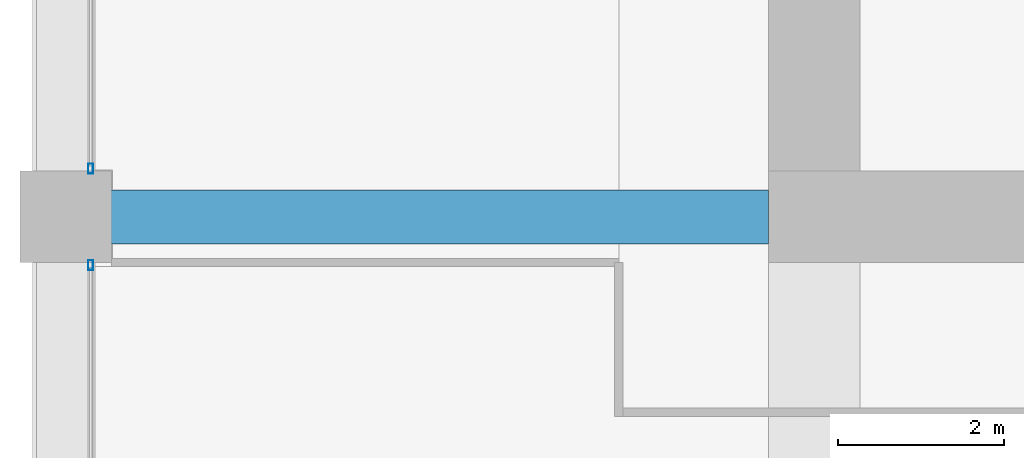
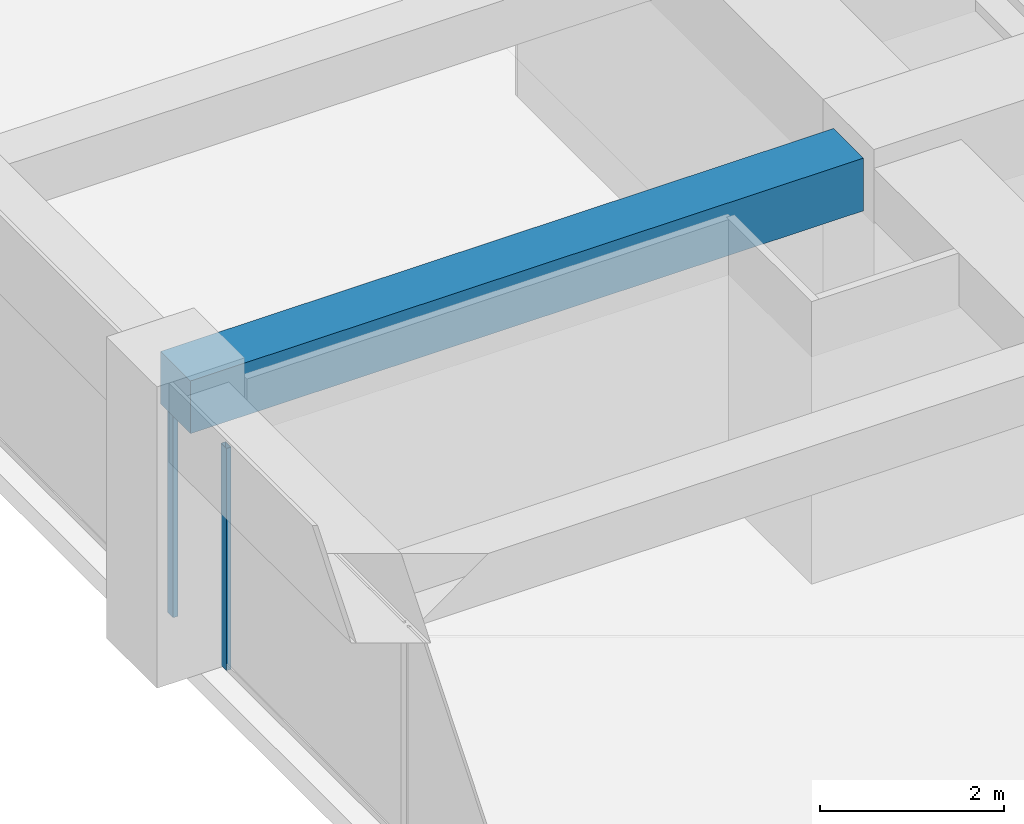
# One storey, part 13 of 45: 2 members, 1 beam, 2 elements without a shape of their own.
"""IFC4 building model written with IfcOpenShell, lengths in metres."""

from ifc_helpers import new_model, si_unit, direction, frame, origin, origin_2d, place, context, subcontext, project, spatial, rectangle, hollow_rectangle, extrude, material, material_profile, profile_set, type_object, element, aggregate, save


model = new_model("IFC4")

# Units and contexts
model_context = context("Model", 3, precision=1e-05, world=origin(), true_north=direction((0.0, 1.0)))
body_context = subcontext(model_context, "Body", "Model", "MODEL_VIEW")
ifc_project = project(units=[si_unit("LENGTHUNIT", "METRE"), si_unit("AREAUNIT", "SQUARE_METRE"), si_unit("VOLUMEUNIT", "CUBIC_METRE"), si_unit("PLANEANGLEUNIT", "RADIAN"), si_unit("MASSUNIT", "GRAM", prefix="KILO")], contexts=[model_context])

# Site, building, storey
site_placement = place(None, origin())
site = spatial("IfcSite", under=ifc_project, at=site_placement, CompositionType="ELEMENT")
building_placement = place(site_placement, origin())
building = spatial("IfcBuilding", under=site, at=building_placement, Name="Zorevar Civic Tower", CompositionType="ELEMENT")
storey_placement = place(building_placement, frame((0.0, 0.0, 279.39990234375)))
storey = spatial("IfcBuildingStorey", under=building, at=storey_placement, Name="L68", CompositionType="ELEMENT", Elevation=279.39990234375)

# Beam
ifc_material_1 = material(Name="Concrete C50/60", Category="concrete")
ifc_material_profile_1 = material_profile(ifc_material_1, rectangle(XDim=0.64990234375, YDim=0.699951171875, at=origin_2d()), Name="RC 650x700")
ifc_profile_set_1 = profile_set([ifc_material_profile_1], Name="Concrete C50/60")
beam_type = type_object("IfcBeamType", Name="Beam RC 650x700", PredefinedType="BEAM", material=ifc_profile_set_1)
beam_placement = place(storey_placement, frame((9.0, 18.0, 3.400146484375), z_axis=(1.0, 0.0, 0.0), x_axis=(0.0, 1.0, 0.0)))
element("IfcBeam", 1, at=beam_placement, inside=storey, type_object=beam_type, Name="Girder L69", PredefinedType="BEAM", context=body_context, shape_type="SweptSolid", body=[
    extrude(rectangle(XDim=0.64990234375, YDim=0.699951171875, at=origin_2d()), origin(), (0.0, 0.0, 1.0), 8.449951171875),
])

# Curtain wall, member
ifc_material_2 = material(Name="Dark grey solar-control glass in black aluminium frame", Category="aluminium")
curtain_wall_type = type_object("IfcCurtainWallType", Name="Curtain wall CW5 top zone", PredefinedType="NOTDEFINED", material=ifc_material_2)
curtain_wall_1_placement = place(storey_placement, origin())
curtain_wall_1 = element("IfcCurtainWall", 2, at=curtain_wall_1_placement, inside=storey, type_object=curtain_wall_type, Name="CW5 L68", PredefinedType="NOTDEFINED")
ifc_material_3 = material(Name="Aluminium, black anodised", Category="aluminium")
ifc_material_profile_2 = material_profile(ifc_material_3, hollow_rectangle(XDim=0.06005859375, YDim=0.1201171875, WallThickness=0.0029296875, at=origin_2d()), Name="AL 120x60x3")
ifc_profile_set_2 = profile_set([ifc_material_profile_2], Name="Aluminium, black anodised")
member_type = type_object("IfcMemberType", Name="CW5 mullion AL 120x60x3", PredefinedType="MULLION", material=ifc_profile_set_2)
member_1_placement = place(storey_placement, frame((9.300048828125, 17.419921875, 0.0), z_axis=(0.0, 0.0, 1.0), x_axis=(-1.0, 0.0, 0.0)))
member_1 = element("IfcMember", 3, at=member_1_placement, type_object=member_type, Name="CW5 mullion 3", PredefinedType="MULLION", context=body_context, shape_type="SweptSolid", body=[
    extrude(hollow_rectangle(XDim=0.06005859375, YDim=0.1201171875, WallThickness=0.0029296875, at=origin_2d()), origin(), (0.0, 0.0, 1.0), 2.9501953125),
])
aggregate(curtain_wall_1, [member_1])

curtain_wall_2_placement = place(storey_placement, origin())
curtain_wall_2 = element("IfcCurtainWall", 4, at=curtain_wall_2_placement, inside=storey, type_object=curtain_wall_type, Name="CW5 L68", PredefinedType="NOTDEFINED")
member_2_placement = place(storey_placement, frame((9.300048828125, 18.580078125, 0.0), z_axis=(0.0, 0.0, 1.0), x_axis=(-1.0, 0.0, 0.0)))
member_2 = element("IfcMember", 5, at=member_2_placement, type_object=member_type, Name="CW5 mullion 1", PredefinedType="MULLION", context=body_context, shape_type="SweptSolid", body=[
    extrude(hollow_rectangle(XDim=0.06005859375, YDim=0.1201171875, WallThickness=0.0029296875, at=origin_2d()), origin(), (0.0, 0.0, 1.0), 2.9501953125),
])
aggregate(curtain_wall_2, [member_2])

save(model, "model.ifc")
